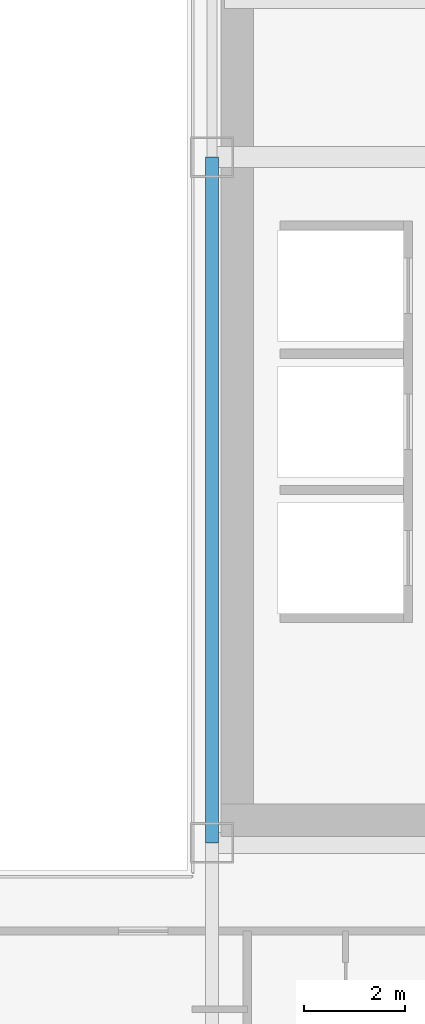
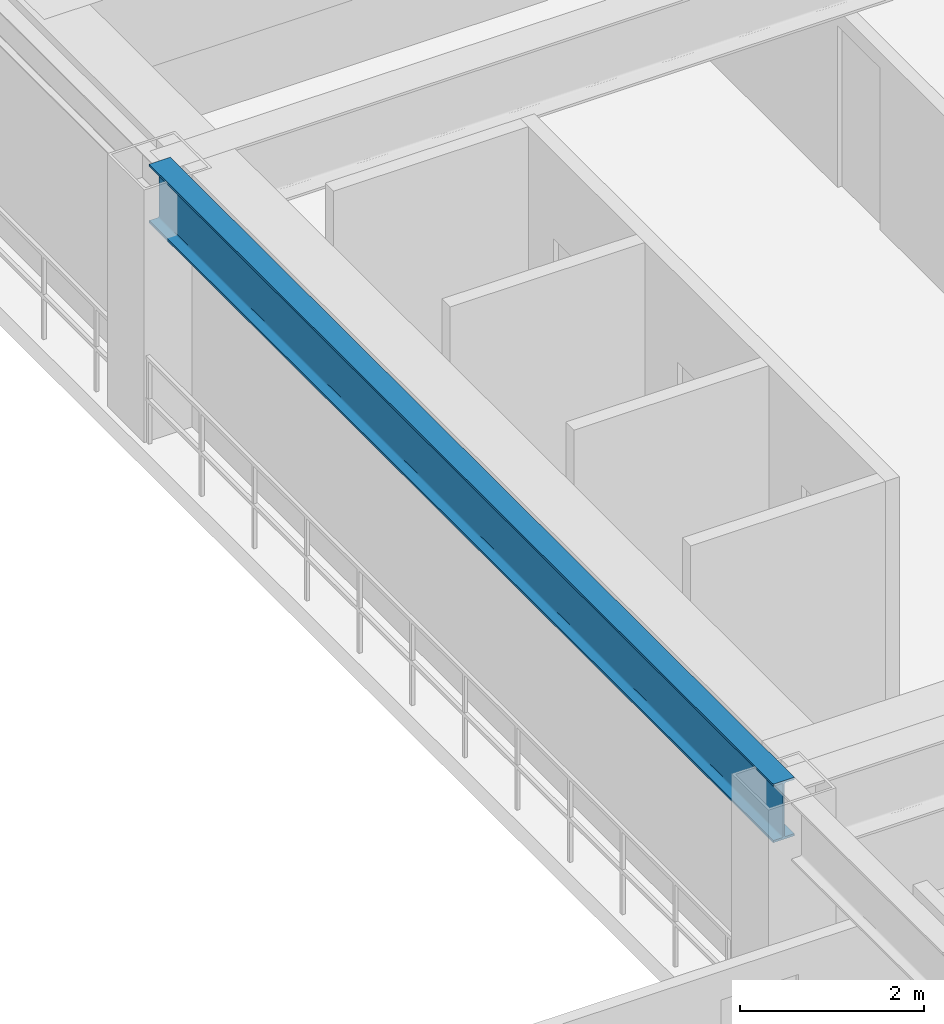
# One storey, part 12 of 34: 1 beam.
"""IFC4 building model written with IfcOpenShell, lengths in metres."""

from ifc_helpers import new_model, si_unit, direction, frame, origin, origin_2d, place, context, subcontext, project, spatial, i_section, extrude, source, transform, mapped, material, material_profile, profile_set, type_object, element, save


model = new_model("IFC4")

# Units and contexts
model_context = context("Model", 3, precision=1e-05, world=origin(), true_north=direction((0.0, 1.0)))
body_context = subcontext(model_context, "Body", "Model", "MODEL_VIEW")
ifc_project = project(units=[si_unit("LENGTHUNIT", "METRE"), si_unit("AREAUNIT", "SQUARE_METRE"), si_unit("VOLUMEUNIT", "CUBIC_METRE"), si_unit("PLANEANGLEUNIT", "RADIAN"), si_unit("MASSUNIT", "GRAM", prefix="KILO")], contexts=[model_context])

# Site, building, storey
site_placement = place(None, origin())
site = spatial("IfcSite", under=ifc_project, at=site_placement, CompositionType="ELEMENT")
building_placement = place(site_placement, origin())
building = spatial("IfcBuilding", under=site, at=building_placement, Name="Ocotamira Hotel", CompositionType="ELEMENT")
storey_placement = place(building_placement, frame((0.0, 0.0, 111.60009765625)))
storey = spatial("IfcBuildingStorey", under=building, at=storey_placement, Name="L27", CompositionType="ELEMENT", Elevation=111.60009765625)

# Beam
ifc_material = material(Name="Steel ASTM A992 Grade 50", Category="steel")
ifc_material_profile = material_profile(ifc_material, i_section(OverallWidth=0.26611328125, OverallDepth=0.779052734375, WebThickness=0.0166015625, FlangeThickness=0.030029296875, FilletRadius=0.01806640625, at=origin_2d()), Name="W30X148")
ifc_profile_set = profile_set([ifc_material_profile], Name="Steel ASTM A992 Grade 50")
beam_type = type_object("IfcBeamType", Name="BM-GIRD-W30X148", PredefinedType="BEAM", material=ifc_profile_set)
shared_shape = source(origin(), body_context, "Body", "SweptSolid", [
    extrude(i_section(OverallWidth=0.26611328125, OverallDepth=0.779052734375, WebThickness=0.0166015625, FlangeThickness=0.030029296875, FilletRadius=0.01806640625, at=origin_2d()), origin(), (0.0, 0.0, 1.0), 13.599853515625),
])
beam_placement = place(storey_placement, frame((40.5, 14.550048828125, 2.970458984375), z_axis=(0.0, 1.0, 0.0), x_axis=(-1.0, 0.0, 0.0)))
element("IfcBeam", 1, at=beam_placement, inside=storey, type_object=beam_type, Name="L27 Beam X40.5 Y14.55-28.15", PredefinedType="BEAM", context=body_context, shape_type="MappedRepresentation", body=[
    mapped(shared_shape, transform((0.0, 0.0, 0.0), scale=1.0)),
])

save(model, "model.ifc")
